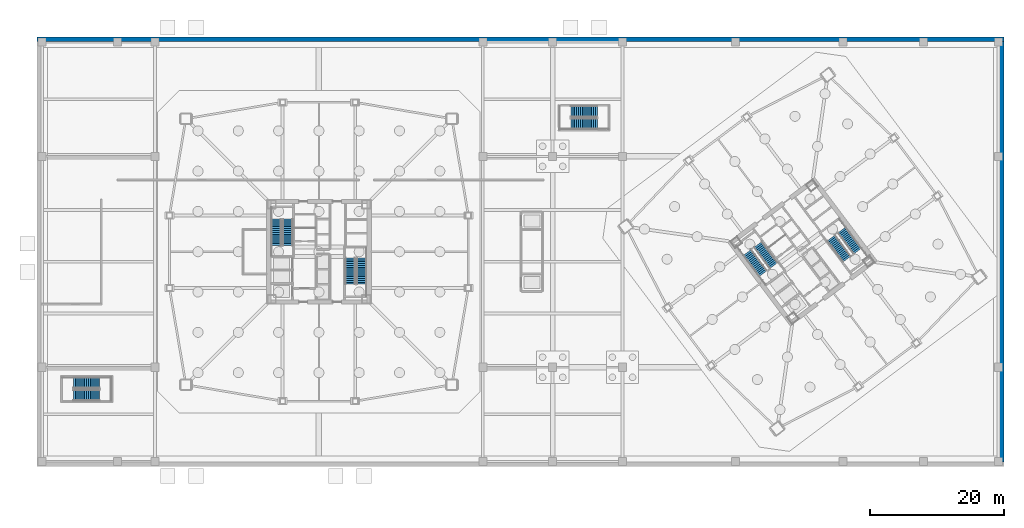
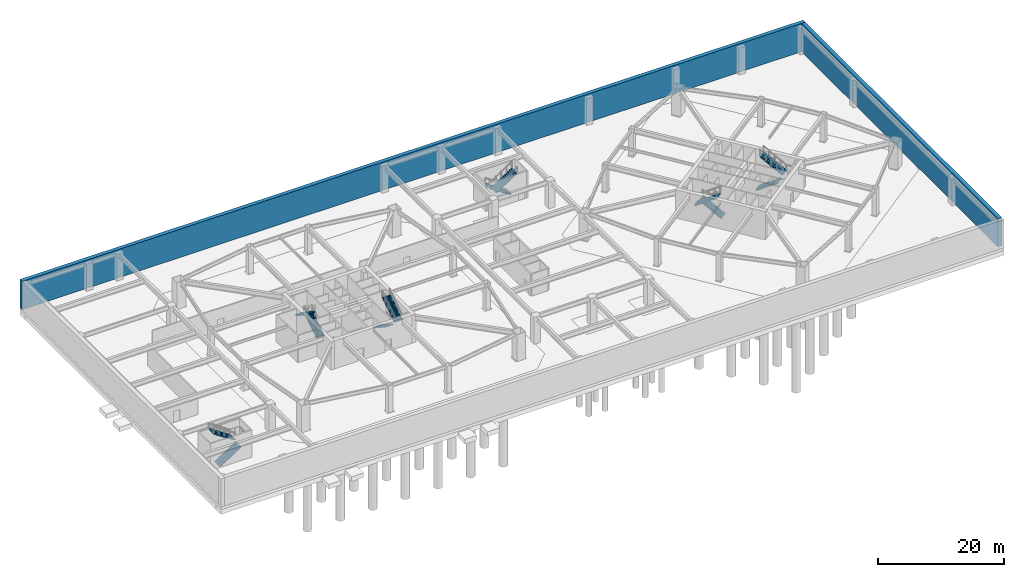
# One storey, part 13 of 19: 12 stair flights, 2 walls, 6 elements without a shape of their own.
"""IFC4 building model written with IfcOpenShell, lengths in metres."""

from ifc_helpers import new_model, si_unit, direction, frame, frame_2d, origin, place, context, subcontext, project, spatial, polyline, rectangle, outline, extrude, material, layer, layer_set, type_object, element, aggregate, save


model = new_model("IFC4")

# Units and contexts
model_context = context("Model", 3, precision=1e-05, world=origin(), true_north=direction((0.0, 1.0)))
body_context = subcontext(model_context, "Body", "Model", "MODEL_VIEW")
ifc_project = project(units=[si_unit("LENGTHUNIT", "METRE"), si_unit("AREAUNIT", "SQUARE_METRE"), si_unit("VOLUMEUNIT", "CUBIC_METRE"), si_unit("PLANEANGLEUNIT", "RADIAN"), si_unit("MASSUNIT", "GRAM", prefix="KILO")], contexts=[model_context])

# Site, building, storey
site_placement = place(None, origin())
site = spatial("IfcSite", under=ifc_project, at=site_placement, CompositionType="ELEMENT")
building_placement = place(site_placement, origin())
building = spatial("IfcBuilding", under=site, at=building_placement, Name="Tashvorn Skyway Center", CompositionType="ELEMENT")
storey_placement = place(building_placement, frame((0.0, 0.0, -11.0)))
storey = spatial("IfcBuildingStorey", under=building, at=storey_placement, Name="B2", CompositionType="ELEMENT", Elevation=-11.0)

# Walls
ifc_material_1 = material(Name="Concrete C60/75", Category="concrete")
ifc_layer = layer(ifc_material_1, 0.699951171875)
ifc_layer_set = layer_set([ifc_layer], Name="Concrete C60/75")
wall_type = type_object("IfcWallType", Name="WALL-RET-700", PredefinedType="SOLIDWALL", material=ifc_layer_set)
wall_1_placement = place(storey_placement, frame((0.0, 63.64990234375, 0.0), z_axis=(0.0, 0.0, 1.0), x_axis=(1.0, 0.0, 0.0)))
element("IfcWall", 1, at=wall_1_placement, inside=storey, type_object=wall_type, Name="B2 Basement Retaining Wall N", PredefinedType="SOLIDWALL", context=body_context, shape_type="SweptSolid", body=[
    extrude(rectangle(XDim=144.0, YDim=0.699951171875, at=frame_2d((72.0, 0.0))), origin(), (0.0, 0.0, 1.0), 5.5),
])
wall_2_placement = place(storey_placement, frame((143.64990234375, 63.300048828125, 0.0), z_axis=(0.0, 0.0, 1.0), x_axis=(0.0, -1.0, 0.0)))
element("IfcWall", 2, at=wall_2_placement, inside=storey, type_object=wall_type, Name="B2 Basement Retaining Wall E", PredefinedType="SOLIDWALL", context=body_context, shape_type="SweptSolid", body=[
    extrude(rectangle(XDim=62.60009765625, YDim=0.699951171875, at=frame_2d((31.300048828125, 0.0))), origin(), (0.0, 0.0, 1.0), 5.5),
])

# Stair, stair flights
ifc_material_2 = material(Name="Concrete C40/50", Category="concrete")
stair_type_1 = type_object("IfcStairType", Name="STAIR-CORE-1500", PredefinedType="HALF_TURN_STAIR", material=ifc_material_2)
stair_1_placement = place(storey_placement, origin())
stair_1 = element("IfcStair", 3, at=stair_1_placement, inside=storey, type_object=stair_type_1, Name="B2 Tower 1 Exit Stair 1", PredefinedType="HALF_TURN_STAIR")
stair_flight_type_1 = type_object("IfcStairFlightType", Name="SFLIGHT-1500", PredefinedType="STRAIGHT", material=ifc_material_2)
stair_flight_1_placement = place(storey_placement, frame((37.35009765625, 32.919921875, 0.0), z_axis=(0.0, 0.0, 1.0), x_axis=(0.0, 1.0, 0.0)))
stair_flight_1 = element("IfcStairFlight", 4, at=stair_flight_1_placement, type_object=stair_flight_type_1, Name="ST-T1-1 flight 1", NumberOfRisers=15, NumberOfTreads=14, PredefinedType="STRAIGHT", RiserHeight=0.183333333, TreadLength=0.28, context=body_context, shape_type="SweptSolid", body=[
    extrude(outline(polyline([(0.0, 0.0), (0.0, 0.183349609375), (0.280029296875, 0.183349609375), (0.280029296875, 0.36669921875), (0.56005859375, 0.36669921875), (0.56005859375, 0.550048828125), (0.840087890625, 0.550048828125), (0.840087890625, 0.7333984375), (1.1201171875, 0.7333984375), (1.1201171875, 0.916748046875), (1.39990234375, 0.916748046875), (1.39990234375, 1.10009765625), (1.679931640625, 1.10009765625), (1.679931640625, 1.283447265625), (1.9599609375, 1.283447265625), (1.9599609375, 1.466552734375), (2.239990234375, 1.466552734375), (2.239990234375, 1.64990234375), (2.52001953125, 1.64990234375), (2.52001953125, 1.833251953125), (2.800048828125, 1.833251953125), (2.800048828125, 2.0166015625), (3.080078125, 2.0166015625), (3.080078125, 2.199951171875), (3.360107421875, 2.199951171875), (3.360107421875, 2.38330078125), (3.639892578125, 2.38330078125), (3.639892578125, 2.566650390625), (3.919921875, 2.566650390625), (3.919921875, 2.75), (3.919921875, 2.387451171875), (0.273681640625, 0.0), (0.0, 0.0)])), frame((0.0, 0.75, 0.0), z_axis=(0.0, -1.0, 0.0), x_axis=(1.0, 0.0, 0.0)), (0.0, 0.0, 1.0), 1.5),
])
stair_flight_2_placement = place(storey_placement, frame((35.64990234375, 36.840087890625, 2.75), z_axis=(0.0, 0.0, 1.0), x_axis=(0.0, -1.0, 0.0)))
stair_flight_2 = element("IfcStairFlight", 5, at=stair_flight_2_placement, type_object=stair_flight_type_1, Name="ST-T1-1 flight 2", NumberOfRisers=15, NumberOfTreads=14, PredefinedType="STRAIGHT", RiserHeight=0.183333333, TreadLength=0.28, context=body_context, shape_type="SweptSolid", body=[
    extrude(outline(polyline([(0.0, 0.0), (0.0, 0.183349609375), (0.280029296875, 0.183349609375), (0.280029296875, 0.36669921875), (0.56005859375, 0.36669921875), (0.56005859375, 0.550048828125), (0.840087890625, 0.550048828125), (0.840087890625, 0.7333984375), (1.1201171875, 0.7333984375), (1.1201171875, 0.916748046875), (1.39990234375, 0.916748046875), (1.39990234375, 1.10009765625), (1.679931640625, 1.10009765625), (1.679931640625, 1.283447265625), (1.9599609375, 1.283447265625), (1.9599609375, 1.466552734375), (2.239990234375, 1.466552734375), (2.239990234375, 1.64990234375), (2.52001953125, 1.64990234375), (2.52001953125, 1.833251953125), (2.800048828125, 1.833251953125), (2.800048828125, 2.0166015625), (3.080078125, 2.0166015625), (3.080078125, 2.199951171875), (3.360107421875, 2.199951171875), (3.360107421875, 2.38330078125), (3.639892578125, 2.38330078125), (3.639892578125, 2.566650390625), (3.919921875, 2.566650390625), (3.919921875, 2.75), (3.919921875, 2.387451171875), (0.273681640625, 0.0), (0.0, 0.0)])), frame((0.0, 0.75, 0.0), z_axis=(0.0, -1.0, 0.0), x_axis=(1.0, 0.0, 0.0)), (0.0, 0.0, 1.0), 1.5),
])
aggregate(stair_1, [stair_flight_1, stair_flight_2])

stair_2_placement = place(storey_placement, origin())
stair_2 = element("IfcStair", 6, at=stair_2_placement, inside=storey, type_object=stair_type_1, Name="B2 Tower 1 Exit Stair 2", PredefinedType="HALF_TURN_STAIR")
stair_flight_3_placement = place(storey_placement, frame((46.64990234375, 31.080078125, 0.0), z_axis=(0.0, 0.0, 1.0), x_axis=(0.0, -1.0, 0.0)))
stair_flight_3 = element("IfcStairFlight", 7, at=stair_flight_3_placement, type_object=stair_flight_type_1, Name="ST-T1-2 flight 1", NumberOfRisers=15, NumberOfTreads=14, PredefinedType="STRAIGHT", RiserHeight=0.183333333, TreadLength=0.28, context=body_context, shape_type="SweptSolid", body=[
    extrude(outline(polyline([(0.0, 0.0), (0.0, 0.183349609375), (0.280029296875, 0.183349609375), (0.280029296875, 0.36669921875), (0.56005859375, 0.36669921875), (0.56005859375, 0.550048828125), (0.840087890625, 0.550048828125), (0.840087890625, 0.7333984375), (1.1201171875, 0.7333984375), (1.1201171875, 0.916748046875), (1.39990234375, 0.916748046875), (1.39990234375, 1.10009765625), (1.679931640625, 1.10009765625), (1.679931640625, 1.283447265625), (1.9599609375, 1.283447265625), (1.9599609375, 1.466552734375), (2.239990234375, 1.466552734375), (2.239990234375, 1.64990234375), (2.52001953125, 1.64990234375), (2.52001953125, 1.833251953125), (2.800048828125, 1.833251953125), (2.800048828125, 2.0166015625), (3.080078125, 2.0166015625), (3.080078125, 2.199951171875), (3.360107421875, 2.199951171875), (3.360107421875, 2.38330078125), (3.639892578125, 2.38330078125), (3.639892578125, 2.566650390625), (3.919921875, 2.566650390625), (3.919921875, 2.75), (3.919921875, 2.387451171875), (0.273681640625, 0.0), (0.0, 0.0)])), frame((0.0, 0.75, 0.0), z_axis=(0.0, -1.0, 0.0), x_axis=(1.0, 0.0, 0.0)), (0.0, 0.0, 1.0), 1.5),
])
stair_flight_4_placement = place(storey_placement, frame((48.35009765625, 27.159912109375, 2.75), z_axis=(0.0, 0.0, 1.0), x_axis=(0.0, 1.0, 0.0)))
stair_flight_4 = element("IfcStairFlight", 8, at=stair_flight_4_placement, type_object=stair_flight_type_1, Name="ST-T1-2 flight 2", NumberOfRisers=15, NumberOfTreads=14, PredefinedType="STRAIGHT", RiserHeight=0.183333333, TreadLength=0.28, context=body_context, shape_type="SweptSolid", body=[
    extrude(outline(polyline([(0.0, 0.0), (0.0, 0.183349609375), (0.280029296875, 0.183349609375), (0.280029296875, 0.36669921875), (0.56005859375, 0.36669921875), (0.56005859375, 0.550048828125), (0.840087890625, 0.550048828125), (0.840087890625, 0.7333984375), (1.1201171875, 0.7333984375), (1.1201171875, 0.916748046875), (1.39990234375, 0.916748046875), (1.39990234375, 1.10009765625), (1.679931640625, 1.10009765625), (1.679931640625, 1.283447265625), (1.9599609375, 1.283447265625), (1.9599609375, 1.466552734375), (2.239990234375, 1.466552734375), (2.239990234375, 1.64990234375), (2.52001953125, 1.64990234375), (2.52001953125, 1.833251953125), (2.800048828125, 1.833251953125), (2.800048828125, 2.0166015625), (3.080078125, 2.0166015625), (3.080078125, 2.199951171875), (3.360107421875, 2.199951171875), (3.360107421875, 2.38330078125), (3.639892578125, 2.38330078125), (3.639892578125, 2.566650390625), (3.919921875, 2.566650390625), (3.919921875, 2.75), (3.919921875, 2.387451171875), (0.273681640625, 0.0), (0.0, 0.0)])), frame((0.0, 0.75, 0.0), z_axis=(0.0, -1.0, 0.0), x_axis=(1.0, 0.0, 0.0)), (0.0, 0.0, 1.0), 1.5),
])
aggregate(stair_2, [stair_flight_3, stair_flight_4])

stair_3_placement = place(storey_placement, origin())
stair_3 = element("IfcStair", 9, at=stair_3_placement, inside=storey, type_object=stair_type_1, Name="B2 Tower 2 Exit Stair 1", PredefinedType="HALF_TURN_STAIR")
stair_flight_5_placement = place(storey_placement, frame((109.72802734375, 29.946044921875, 0.0), z_axis=(0.0, 0.0, 1.0), x_axis=(-0.600000004945, 0.799999996291, 0.0)))
stair_flight_5 = element("IfcStairFlight", 10, at=stair_flight_5_placement, type_object=stair_flight_type_1, Name="ST-T2-1 flight 1", NumberOfRisers=15, NumberOfTreads=14, PredefinedType="STRAIGHT", RiserHeight=0.183333333, TreadLength=0.28, context=body_context, shape_type="SweptSolid", body=[
    extrude(outline(polyline([(0.0, 0.0), (0.0, 0.183349609375), (0.280029296875, 0.183349609375), (0.280029296875, 0.36669921875), (0.56005859375, 0.36669921875), (0.56005859375, 0.550048828125), (0.840087890625, 0.550048828125), (0.840087890625, 0.7333984375), (1.1201171875, 0.7333984375), (1.1201171875, 0.916748046875), (1.39990234375, 0.916748046875), (1.39990234375, 1.10009765625), (1.679931640625, 1.10009765625), (1.679931640625, 1.283447265625), (1.9599609375, 1.283447265625), (1.9599609375, 1.466552734375), (2.239990234375, 1.466552734375), (2.239990234375, 1.64990234375), (2.52001953125, 1.64990234375), (2.52001953125, 1.833251953125), (2.800048828125, 1.833251953125), (2.800048828125, 2.0166015625), (3.080078125, 2.0166015625), (3.080078125, 2.199951171875), (3.360107421875, 2.199951171875), (3.360107421875, 2.38330078125), (3.639892578125, 2.38330078125), (3.639892578125, 2.566650390625), (3.919921875, 2.566650390625), (3.919921875, 2.75), (3.919921875, 2.387451171875), (0.273681640625, 0.0), (0.0, 0.0)])), frame((0.0, 0.75, 0.0), z_axis=(0.0, -1.0, 0.0), x_axis=(1.0, 0.0, 0.0)), (0.0, 0.0, 1.0), 1.5),
])
stair_flight_6_placement = place(storey_placement, frame((105.7919921875, 31.89404296875, 2.75), z_axis=(0.0, 0.0, 1.0), x_axis=(0.600000004945, -0.799999996291, 0.0)))
stair_flight_6 = element("IfcStairFlight", 11, at=stair_flight_6_placement, type_object=stair_flight_type_1, Name="ST-T2-1 flight 2", NumberOfRisers=15, NumberOfTreads=14, PredefinedType="STRAIGHT", RiserHeight=0.183333333, TreadLength=0.28, context=body_context, shape_type="SweptSolid", body=[
    extrude(outline(polyline([(0.0, 0.0), (0.0, 0.183349609375), (0.280029296875, 0.183349609375), (0.280029296875, 0.36669921875), (0.56005859375, 0.36669921875), (0.56005859375, 0.550048828125), (0.840087890625, 0.550048828125), (0.840087890625, 0.7333984375), (1.1201171875, 0.7333984375), (1.1201171875, 0.916748046875), (1.39990234375, 0.916748046875), (1.39990234375, 1.10009765625), (1.679931640625, 1.10009765625), (1.679931640625, 1.283447265625), (1.9599609375, 1.283447265625), (1.9599609375, 1.466552734375), (2.239990234375, 1.466552734375), (2.239990234375, 1.64990234375), (2.52001953125, 1.64990234375), (2.52001953125, 1.833251953125), (2.800048828125, 1.833251953125), (2.800048828125, 2.0166015625), (3.080078125, 2.0166015625), (3.080078125, 2.199951171875), (3.360107421875, 2.199951171875), (3.360107421875, 2.38330078125), (3.639892578125, 2.38330078125), (3.639892578125, 2.566650390625), (3.919921875, 2.566650390625), (3.919921875, 2.75), (3.919921875, 2.387451171875), (0.273681640625, 0.0), (0.0, 0.0)])), frame((0.0, 0.75, 0.0), z_axis=(0.0, -1.0, 0.0), x_axis=(1.0, 0.0, 0.0)), (0.0, 0.0, 1.0), 1.5),
])
aggregate(stair_3, [stair_flight_5, stair_flight_6])

stair_4_placement = place(storey_placement, origin())
stair_4 = element("IfcStair", 12, at=stair_4_placement, inside=storey, type_object=stair_type_1, Name="B2 Tower 2 Exit Stair 2", PredefinedType="HALF_TURN_STAIR")
stair_flight_7_placement = place(storey_placement, frame((118.27197265625, 34.053955078125, 0.0), z_axis=(0.0, 0.0, 1.0), x_axis=(0.600000004945, -0.799999996291, 0.0)))
stair_flight_7 = element("IfcStairFlight", 13, at=stair_flight_7_placement, type_object=stair_flight_type_1, Name="ST-T2-2 flight 1", NumberOfRisers=15, NumberOfTreads=14, PredefinedType="STRAIGHT", RiserHeight=0.183333333, TreadLength=0.28, context=body_context, shape_type="SweptSolid", body=[
    extrude(outline(polyline([(0.0, 0.0), (0.0, 0.183349609375), (0.280029296875, 0.183349609375), (0.280029296875, 0.36669921875), (0.56005859375, 0.36669921875), (0.56005859375, 0.550048828125), (0.840087890625, 0.550048828125), (0.840087890625, 0.7333984375), (1.1201171875, 0.7333984375), (1.1201171875, 0.916748046875), (1.39990234375, 0.916748046875), (1.39990234375, 1.10009765625), (1.679931640625, 1.10009765625), (1.679931640625, 1.283447265625), (1.9599609375, 1.283447265625), (1.9599609375, 1.466552734375), (2.239990234375, 1.466552734375), (2.239990234375, 1.64990234375), (2.52001953125, 1.64990234375), (2.52001953125, 1.833251953125), (2.800048828125, 1.833251953125), (2.800048828125, 2.0166015625), (3.080078125, 2.0166015625), (3.080078125, 2.199951171875), (3.360107421875, 2.199951171875), (3.360107421875, 2.38330078125), (3.639892578125, 2.38330078125), (3.639892578125, 2.566650390625), (3.919921875, 2.566650390625), (3.919921875, 2.75), (3.919921875, 2.387451171875), (0.273681640625, 0.0), (0.0, 0.0)])), frame((0.0, 0.75, 0.0), z_axis=(0.0, -1.0, 0.0), x_axis=(1.0, 0.0, 0.0)), (0.0, 0.0, 1.0), 1.5),
])
stair_flight_8_placement = place(storey_placement, frame((122.2080078125, 32.10595703125, 2.75), z_axis=(0.0, 0.0, 1.0), x_axis=(-0.600000004945, 0.799999996291, 0.0)))
stair_flight_8 = element("IfcStairFlight", 14, at=stair_flight_8_placement, type_object=stair_flight_type_1, Name="ST-T2-2 flight 2", NumberOfRisers=15, NumberOfTreads=14, PredefinedType="STRAIGHT", RiserHeight=0.183333333, TreadLength=0.28, context=body_context, shape_type="SweptSolid", body=[
    extrude(outline(polyline([(0.0, 0.0), (0.0, 0.183349609375), (0.280029296875, 0.183349609375), (0.280029296875, 0.36669921875), (0.56005859375, 0.36669921875), (0.56005859375, 0.550048828125), (0.840087890625, 0.550048828125), (0.840087890625, 0.7333984375), (1.1201171875, 0.7333984375), (1.1201171875, 0.916748046875), (1.39990234375, 0.916748046875), (1.39990234375, 1.10009765625), (1.679931640625, 1.10009765625), (1.679931640625, 1.283447265625), (1.9599609375, 1.283447265625), (1.9599609375, 1.466552734375), (2.239990234375, 1.466552734375), (2.239990234375, 1.64990234375), (2.52001953125, 1.64990234375), (2.52001953125, 1.833251953125), (2.800048828125, 1.833251953125), (2.800048828125, 2.0166015625), (3.080078125, 2.0166015625), (3.080078125, 2.199951171875), (3.360107421875, 2.199951171875), (3.360107421875, 2.38330078125), (3.639892578125, 2.38330078125), (3.639892578125, 2.566650390625), (3.919921875, 2.566650390625), (3.919921875, 2.75), (3.919921875, 2.387451171875), (0.273681640625, 0.0), (0.0, 0.0)])), frame((0.0, 0.75, 0.0), z_axis=(0.0, -1.0, 0.0), x_axis=(1.0, 0.0, 0.0)), (0.0, 0.0, 1.0), 1.5),
])
aggregate(stair_4, [stair_flight_7, stair_flight_8])

stair_type_2 = type_object("IfcStairType", Name="STAIR-POD-1650", PredefinedType="HALF_TURN_STAIR", material=ifc_material_2)
stair_5_placement = place(storey_placement, origin())
stair_5 = element("IfcStair", 15, at=stair_5_placement, inside=storey, type_object=stair_type_2, Name="B2 Podium West Exit Stair 1", PredefinedType="HALF_TURN_STAIR")
stair_flight_type_2 = type_object("IfcStairFlightType", Name="SFLIGHT-1650", PredefinedType="STRAIGHT", material=ifc_material_2)
stair_flight_9_placement = place(storey_placement, frame((5.449951171875, 10.625, 0.0), z_axis=(0.0, 0.0, 1.0), x_axis=(1.0, 0.0, 0.0)))
stair_flight_9 = element("IfcStairFlight", 16, at=stair_flight_9_placement, type_object=stair_flight_type_2, Name="ST-POD-1 flight 1", NumberOfRisers=15, NumberOfTreads=14, PredefinedType="STRAIGHT", RiserHeight=0.183333333, TreadLength=0.28, context=body_context, shape_type="SweptSolid", body=[
    extrude(outline(polyline([(0.0, 0.0), (0.0, 0.183349609375), (0.280029296875, 0.183349609375), (0.280029296875, 0.36669921875), (0.56005859375, 0.36669921875), (0.56005859375, 0.550048828125), (0.840087890625, 0.550048828125), (0.840087890625, 0.7333984375), (1.1201171875, 0.7333984375), (1.1201171875, 0.916748046875), (1.39990234375, 0.916748046875), (1.39990234375, 1.10009765625), (1.679931640625, 1.10009765625), (1.679931640625, 1.283447265625), (1.9599609375, 1.283447265625), (1.9599609375, 1.466552734375), (2.239990234375, 1.466552734375), (2.239990234375, 1.64990234375), (2.52001953125, 1.64990234375), (2.52001953125, 1.833251953125), (2.800048828125, 1.833251953125), (2.800048828125, 2.0166015625), (3.080078125, 2.0166015625), (3.080078125, 2.199951171875), (3.360107421875, 2.199951171875), (3.360107421875, 2.38330078125), (3.639892578125, 2.38330078125), (3.639892578125, 2.566650390625), (3.919921875, 2.566650390625), (3.919921875, 2.75), (3.919921875, 2.387451171875), (0.273681640625, 0.0), (0.0, 0.0)])), frame((0.0, 0.824951171875, 0.0), z_axis=(0.0, -1.0, 0.0), x_axis=(1.0, 0.0, 0.0)), (0.0, 0.0, 1.0), 1.64990234375),
])
stair_flight_10_placement = place(storey_placement, frame((9.3701171875, 12.47509765625, 2.75), z_axis=(0.0, 0.0, 1.0), x_axis=(-1.0, 0.0, 0.0)))
stair_flight_10 = element("IfcStairFlight", 17, at=stair_flight_10_placement, type_object=stair_flight_type_2, Name="ST-POD-1 flight 2", NumberOfRisers=15, NumberOfTreads=14, PredefinedType="STRAIGHT", RiserHeight=0.183333333, TreadLength=0.28, context=body_context, shape_type="SweptSolid", body=[
    extrude(outline(polyline([(0.0, 0.0), (0.0, 0.183349609375), (0.280029296875, 0.183349609375), (0.280029296875, 0.36669921875), (0.56005859375, 0.36669921875), (0.56005859375, 0.550048828125), (0.840087890625, 0.550048828125), (0.840087890625, 0.7333984375), (1.1201171875, 0.7333984375), (1.1201171875, 0.916748046875), (1.39990234375, 0.916748046875), (1.39990234375, 1.10009765625), (1.679931640625, 1.10009765625), (1.679931640625, 1.283447265625), (1.9599609375, 1.283447265625), (1.9599609375, 1.466552734375), (2.239990234375, 1.466552734375), (2.239990234375, 1.64990234375), (2.52001953125, 1.64990234375), (2.52001953125, 1.833251953125), (2.800048828125, 1.833251953125), (2.800048828125, 2.0166015625), (3.080078125, 2.0166015625), (3.080078125, 2.199951171875), (3.360107421875, 2.199951171875), (3.360107421875, 2.38330078125), (3.639892578125, 2.38330078125), (3.639892578125, 2.566650390625), (3.919921875, 2.566650390625), (3.919921875, 2.75), (3.919921875, 2.387451171875), (0.273681640625, 0.0), (0.0, 0.0)])), frame((0.0, 0.824951171875, 0.0), z_axis=(0.0, -1.0, 0.0), x_axis=(1.0, 0.0, 0.0)), (0.0, 0.0, 1.0), 1.64990234375),
])
aggregate(stair_5, [stair_flight_9, stair_flight_10])

stair_6_placement = place(storey_placement, origin())
stair_6 = element("IfcStair", 18, at=stair_6_placement, inside=storey, type_object=stair_type_2, Name="B2 Podium East Exit Stair 2", PredefinedType="HALF_TURN_STAIR")
stair_flight_11_placement = place(storey_placement, frame((83.449951171875, 52.875, 0.0), z_axis=(0.0, 0.0, 1.0), x_axis=(-1.0, 0.0, 0.0)))
stair_flight_11 = element("IfcStairFlight", 19, at=stair_flight_11_placement, type_object=stair_flight_type_2, Name="ST-POD-2 flight 1", NumberOfRisers=15, NumberOfTreads=14, PredefinedType="STRAIGHT", RiserHeight=0.183333333, TreadLength=0.28, context=body_context, shape_type="SweptSolid", body=[
    extrude(outline(polyline([(0.0, 0.0), (0.0, 0.183349609375), (0.280029296875, 0.183349609375), (0.280029296875, 0.36669921875), (0.56005859375, 0.36669921875), (0.56005859375, 0.550048828125), (0.840087890625, 0.550048828125), (0.840087890625, 0.7333984375), (1.1201171875, 0.7333984375), (1.1201171875, 0.916748046875), (1.39990234375, 0.916748046875), (1.39990234375, 1.10009765625), (1.679931640625, 1.10009765625), (1.679931640625, 1.283447265625), (1.9599609375, 1.283447265625), (1.9599609375, 1.466552734375), (2.239990234375, 1.466552734375), (2.239990234375, 1.64990234375), (2.52001953125, 1.64990234375), (2.52001953125, 1.833251953125), (2.800048828125, 1.833251953125), (2.800048828125, 2.0166015625), (3.080078125, 2.0166015625), (3.080078125, 2.199951171875), (3.360107421875, 2.199951171875), (3.360107421875, 2.38330078125), (3.639892578125, 2.38330078125), (3.639892578125, 2.566650390625), (3.919921875, 2.566650390625), (3.919921875, 2.75), (3.919921875, 2.387451171875), (0.273681640625, 0.0), (0.0, 0.0)])), frame((0.0, 0.824951171875, 0.0), z_axis=(0.0, -1.0, 0.0), x_axis=(1.0, 0.0, 0.0)), (0.0, 0.0, 1.0), 1.64990234375),
])
stair_flight_12_placement = place(storey_placement, frame((79.530029296875, 51.02490234375, 2.75), z_axis=(0.0, 0.0, 1.0), x_axis=(1.0, 0.0, 0.0)))
stair_flight_12 = element("IfcStairFlight", 20, at=stair_flight_12_placement, type_object=stair_flight_type_2, Name="ST-POD-2 flight 2", NumberOfRisers=15, NumberOfTreads=14, PredefinedType="STRAIGHT", RiserHeight=0.183333333, TreadLength=0.28, context=body_context, shape_type="SweptSolid", body=[
    extrude(outline(polyline([(0.0, 0.0), (0.0, 0.183349609375), (0.280029296875, 0.183349609375), (0.280029296875, 0.36669921875), (0.56005859375, 0.36669921875), (0.56005859375, 0.550048828125), (0.840087890625, 0.550048828125), (0.840087890625, 0.7333984375), (1.1201171875, 0.7333984375), (1.1201171875, 0.916748046875), (1.39990234375, 0.916748046875), (1.39990234375, 1.10009765625), (1.679931640625, 1.10009765625), (1.679931640625, 1.283447265625), (1.9599609375, 1.283447265625), (1.9599609375, 1.466552734375), (2.239990234375, 1.466552734375), (2.239990234375, 1.64990234375), (2.52001953125, 1.64990234375), (2.52001953125, 1.833251953125), (2.800048828125, 1.833251953125), (2.800048828125, 2.0166015625), (3.080078125, 2.0166015625), (3.080078125, 2.199951171875), (3.360107421875, 2.199951171875), (3.360107421875, 2.38330078125), (3.639892578125, 2.38330078125), (3.639892578125, 2.566650390625), (3.919921875, 2.566650390625), (3.919921875, 2.75), (3.919921875, 2.387451171875), (0.273681640625, 0.0), (0.0, 0.0)])), frame((0.0, 0.824951171875, 0.0), z_axis=(0.0, -1.0, 0.0), x_axis=(1.0, 0.0, 0.0)), (0.0, 0.0, 1.0), 1.64990234375),
])
aggregate(stair_6, [stair_flight_11, stair_flight_12])

save(model, "model.ifc")
